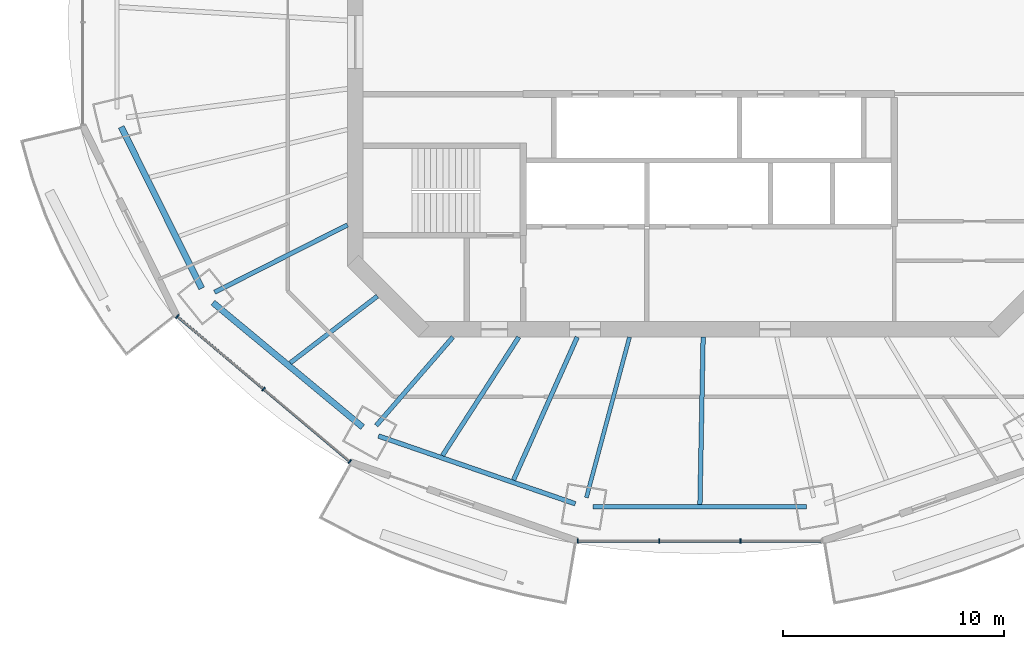
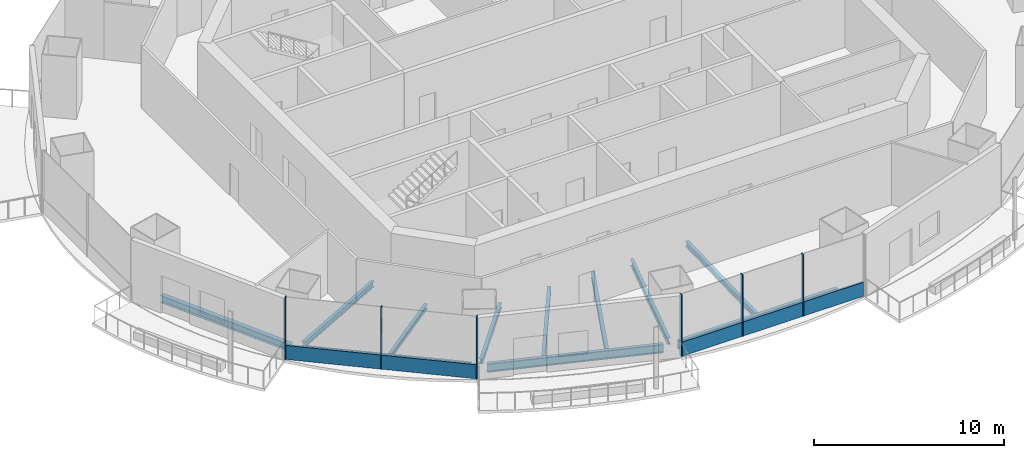
# One storey, part 2 of 16: 11 beams, 8 members, 2 elements without a shape of their own.
"""IFC4 building model written with IfcOpenShell, lengths in metres."""

from ifc_helpers import new_model, si_unit, direction, frame, origin, origin_2d, place, context, subcontext, project, spatial, rectangle, i_section, extrude, material, material_profile, profile_set, type_object, element, aggregate, save


model = new_model("IFC4")

# Units and contexts
model_context = context("Model", 3, precision=1e-05, world=origin(), true_north=direction((0.0, 1.0)))
body_context = subcontext(model_context, "Body", "Model", "MODEL_VIEW")
ifc_project = project(units=[si_unit("LENGTHUNIT", "METRE"), si_unit("AREAUNIT", "SQUARE_METRE"), si_unit("VOLUMEUNIT", "CUBIC_METRE"), si_unit("PLANEANGLEUNIT", "RADIAN"), si_unit("MASSUNIT", "GRAM", prefix="KILO")], contexts=[model_context])

# Site, building, storey
site_placement = place(None, origin())
site = spatial("IfcSite", under=ifc_project, at=site_placement, CompositionType="ELEMENT")
building_placement = place(site_placement, origin())
building = spatial("IfcBuilding", under=site, at=building_placement, Name="Marenthal Gate Tower", CompositionType="ELEMENT")
storey_placement = place(building_placement, frame((0.0, 0.0, 305.25)))
storey = spatial("IfcBuildingStorey", under=building, at=storey_placement, Name="L68", CompositionType="ELEMENT", Elevation=305.25)

# Curtain wall, members
ifc_material_1 = material(Name="Aluminium and glass", Category="aluminium")
curtain_wall_type = type_object("IfcCurtainWallType", Name="Curtain wall typical high", PredefinedType="NOTDEFINED", material=ifc_material_1)
curtain_wall_1_placement = place(storey_placement, origin())
curtain_wall_1 = element("IfcCurtainWall", 1, at=curtain_wall_1_placement, inside=storey, type_object=curtain_wall_type, Name="Curtain wall L68 bay 10", PredefinedType="NOTDEFINED")
ifc_material_2 = material(Name="Aluminium", Category="aluminium")
ifc_material_profile_1 = material_profile(ifc_material_2, rectangle(XDim=0.199951171875, YDim=0.06005859375, at=origin_2d()), Name="60x200 aluminium mullion")
ifc_profile_set_1 = profile_set([ifc_material_profile_1], Name="Aluminium")
member_type_1 = type_object("IfcMemberType", Name="Mullion 60x200 typical high", PredefinedType="MULLION", material=ifc_profile_set_1)
member_1_placement = place(storey_placement, frame((-24.053955078125, -12.41845703125, 0.0), z_axis=(0.0, 0.0, 1.0), x_axis=(0.643479945432, 0.765462970905, 0.0)))
member_1 = element("IfcMember", 2, at=member_1_placement, type_object=member_type_1, Name="Mullion L68 bay 10.1", PredefinedType="MULLION", context=body_context, shape_type="SweptSolid", body=[
    extrude(rectangle(XDim=0.199951171875, YDim=0.06005859375, at=origin_2d()), origin(), (0.0, 0.0, 1.0), 3.969970703125),
])
member_2_placement = place(storey_placement, frame((-20.148681640625, -15.701416015625, 0.0), z_axis=(0.0, 0.0, 1.0), x_axis=(0.643479945432, 0.765462970905, 0.0)))
member_2 = element("IfcMember", 3, at=member_2_placement, type_object=member_type_1, Name="Mullion L68 bay 10.2", PredefinedType="MULLION", context=body_context, shape_type="SweptSolid", body=[
    extrude(rectangle(XDim=0.199951171875, YDim=0.06005859375, at=origin_2d()), origin(), (0.0, 0.0, 1.0), 3.969970703125),
])
member_3_placement = place(storey_placement, frame((-16.243408203125, -18.984375, 0.0), z_axis=(0.0, 0.0, 1.0), x_axis=(0.643479945432, 0.765462970905, 0.0)))
member_3 = element("IfcMember", 4, at=member_3_placement, type_object=member_type_1, Name="Mullion L68 bay 10.3", PredefinedType="MULLION", context=body_context, shape_type="SweptSolid", body=[
    extrude(rectangle(XDim=0.199951171875, YDim=0.06005859375, at=origin_2d()), origin(), (0.0, 0.0, 1.0), 3.969970703125),
])

curtain_wall_2_placement = place(storey_placement, origin())
curtain_wall_2 = element("IfcCurtainWall", 5, at=curtain_wall_2_placement, inside=storey, type_object=curtain_wall_type, Name="Curtain wall L68 bay 12", PredefinedType="NOTDEFINED")
member_4_placement = place(storey_placement, frame((-5.92529296875, -22.577880859375, 0.0), z_axis=(0.0, 0.0, 1.0), x_axis=(0.0, 1.0, 0.0)))
member_4 = element("IfcMember", 6, at=member_4_placement, type_object=member_type_1, Name="Mullion L68 bay 12.1", PredefinedType="MULLION", context=body_context, shape_type="SweptSolid", body=[
    extrude(rectangle(XDim=0.199951171875, YDim=0.06005859375, at=origin_2d()), origin(), (0.0, 0.0, 1.0), 3.969970703125),
])
member_5_placement = place(storey_placement, frame((-2.24169921875, -22.577880859375, 0.0), z_axis=(0.0, 0.0, 1.0), x_axis=(0.0, 1.0, 0.0)))
member_5 = element("IfcMember", 7, at=member_5_placement, type_object=member_type_1, Name="Mullion L68 bay 12.2", PredefinedType="MULLION", context=body_context, shape_type="SweptSolid", body=[
    extrude(rectangle(XDim=0.199951171875, YDim=0.06005859375, at=origin_2d()), origin(), (0.0, 0.0, 1.0), 3.969970703125),
])
member_6_placement = place(storey_placement, frame((1.44189453125, -22.577880859375, 0.0), z_axis=(0.0, 0.0, 1.0), x_axis=(0.0, 1.0, 0.0)))
member_6 = element("IfcMember", 8, at=member_6_placement, type_object=member_type_1, Name="Mullion L68 bay 12.3", PredefinedType="MULLION", context=body_context, shape_type="SweptSolid", body=[
    extrude(rectangle(XDim=0.199951171875, YDim=0.06005859375, at=origin_2d()), origin(), (0.0, 0.0, 1.0), 3.969970703125),
])

# Member
ifc_material_3 = material(Name="Aluminium", Category="aluminium")
ifc_material_profile_2 = material_profile(ifc_material_3, rectangle(XDim=0.1201171875, YDim=0.89990234375, at=origin_2d()), Name="120x900 aluminium transom")
ifc_profile_set_2 = profile_set([ifc_material_profile_2], Name="Aluminium")
member_type_2 = type_object("IfcMemberType", Name="Transom 120x900 typical high", PredefinedType="USERDEFINED", material=ifc_profile_set_2)
member_7_placement = place(storey_placement, frame((-24.031005859375, -12.437744140625, 0.449951171875), z_axis=(0.765460155219, -0.643483294866, 0.0), x_axis=(0.643483294866, 0.765460155219, 0.0)))
member_7 = element("IfcMember", 9, at=member_7_placement, type_object=member_type_2, Name="Transom L68 bay 10", ObjectType="TRANSOM", PredefinedType="USERDEFINED", context=body_context, shape_type="SweptSolid", body=[
    extrude(rectangle(XDim=0.1201171875, YDim=0.89990234375, at=origin_2d()), origin(), (0.0, 0.0, 1.0), 10.143798828125),
])

aggregate(curtain_wall_1, [member_1, member_2, member_3, member_7])

member_8_placement = place(storey_placement, frame((-5.8955078125, -22.577880859375, 0.449951171875), z_axis=(1.0, 0.0, 0.0), x_axis=(0.0, 1.0, 0.0)))
member_8 = element("IfcMember", 10, at=member_8_placement, type_object=member_type_2, Name="Transom L68 bay 12", ObjectType="TRANSOM", PredefinedType="USERDEFINED", context=body_context, shape_type="SweptSolid", body=[
    extrude(rectangle(XDim=0.1201171875, YDim=0.89990234375, at=origin_2d()), origin(), (0.0, 0.0, 1.0), 10.990966796875),
])

aggregate(curtain_wall_2, [member_4, member_5, member_6, member_8])

# Beams
ifc_material_4 = material(Name="Steel S355", Category="steel")
ifc_material_profile_3 = material_profile(ifc_material_4, i_section(OverallWidth=0.202880859375, OverallDepth=0.302001953125, WebThickness=0.007568359375, FlangeThickness=0.01318359375, FilletRadius=0.0126953125, at=origin_2d()), Name="W310X60")
ifc_profile_set_3 = profile_set([ifc_material_profile_3], Name="Steel S355")
beam_type_1 = type_object("IfcBeamType", Name="W310X60 beam", PredefinedType="BEAM", material=ifc_profile_set_3)
beam_1_placement = place(storey_placement, frame((-18.939453125, -14.518798828125, -0.3310546875), z_axis=(0.793649875285, 0.608374782071, 0.0), x_axis=(-0.608374782071, 0.793649875285, 0.0)))
element("IfcBeam", 11, at=beam_1_placement, inside=storey, type_object=beam_type_1, Name="BM-L68-31", PredefinedType="BEAM", context=body_context, shape_type="SweptSolid", body=[
    extrude(i_section(OverallWidth=0.202880859375, OverallDepth=0.302001953125, WebThickness=0.007568359375, FlangeThickness=0.01318359375, FilletRadius=0.0126953125, at=origin_2d()), origin(), (0.0, 0.0, 1.0), 4.966552734375),
])
ifc_material_5 = material(Name="Steel S355", Category="steel")
ifc_material_profile_4 = material_profile(ifc_material_5, i_section(OverallWidth=0.205078125, OverallDepth=0.31005859375, WebThickness=0.009521484375, FlangeThickness=0.016357421875, FilletRadius=0.0126953125, at=origin_2d()), Name="W310X74")
ifc_profile_set_4 = profile_set([ifc_material_profile_4], Name="Steel S355")
beam_type_2 = type_object("IfcBeamType", Name="W310X74 beam", PredefinedType="BEAM", material=ifc_profile_set_4)
beam_2_placement = place(storey_placement, frame((-15.05078125, -17.353515625, -0.3349609375), z_axis=(0.655204107761, 0.75545190262, 0.0), x_axis=(-0.75545190262, 0.655204107761, 0.0)))
element("IfcBeam", 12, at=beam_2_placement, inside=storey, type_object=beam_type_2, Name="BM-L68-11", PredefinedType="BEAM", context=body_context, shape_type="SweptSolid", body=[
    extrude(i_section(OverallWidth=0.205078125, OverallDepth=0.31005859375, WebThickness=0.009521484375, FlangeThickness=0.016357421875, FilletRadius=0.0126953125, at=origin_2d()), origin(), (0.0, 0.0, 1.0), 5.29931640625),
])
beam_3_placement = place(storey_placement, frame((-12.0517578125, -18.711181640625, -0.3349609375), z_axis=(0.541502346344, 0.840699238077, 0.0), x_axis=(-0.840699238077, 0.541502346344, 0.0)))
element("IfcBeam", 13, at=beam_3_placement, inside=storey, type_object=beam_type_2, Name="BM-L68-32", PredefinedType="BEAM", context=body_context, shape_type="SweptSolid", body=[
    extrude(i_section(OverallWidth=0.205078125, OverallDepth=0.31005859375, WebThickness=0.009521484375, FlangeThickness=0.016357421875, FilletRadius=0.0126953125, at=origin_2d()), origin(), (0.0, 0.0, 1.0), 6.376953125),
])
ifc_material_6 = material(Name="Steel S355", Category="steel")
ifc_material_profile_5 = material_profile(ifc_material_6, i_section(OverallWidth=0.205078125, OverallDepth=0.35302734375, WebThickness=0.009521484375, FlangeThickness=0.016845703125, FilletRadius=0.014892578125, at=origin_2d()), Name="W360X79")
ifc_profile_set_5 = profile_set([ifc_material_profile_5], Name="Steel S355")
beam_type_3 = type_object("IfcBeamType", Name="W360X79 beam", PredefinedType="BEAM", material=ifc_profile_set_5)
beam_4_placement = place(storey_placement, frame((-22.36572265625, -11.3203125, -0.3564453125), z_axis=(0.892214783976, 0.451611314357, 0.0), x_axis=(-0.451611314357, 0.892214783976, 0.0)))
element("IfcBeam", 14, at=beam_4_placement, inside=storey, type_object=beam_type_3, Name="BM-L68-10", PredefinedType="BEAM", context=body_context, shape_type="SweptSolid", body=[
    extrude(i_section(OverallWidth=0.205078125, OverallDepth=0.35302734375, WebThickness=0.009521484375, FlangeThickness=0.016845703125, FilletRadius=0.014892578125, at=origin_2d()), origin(), (0.0, 0.0, 1.0), 6.742431640625),
])
beam_5_placement = place(storey_placement, frame((-8.835693359375, -19.818359375, -0.3564453125), z_axis=(0.407200115521, 0.91333896551, 0.0), x_axis=(-0.91333896551, 0.407200115521, 0.0)))
element("IfcBeam", 15, at=beam_5_placement, inside=storey, type_object=beam_type_3, Name="BM-L68-33", PredefinedType="BEAM", context=body_context, shape_type="SweptSolid", body=[
    extrude(i_section(OverallWidth=0.205078125, OverallDepth=0.35302734375, WebThickness=0.009521484375, FlangeThickness=0.016845703125, FilletRadius=0.014892578125, at=origin_2d()), origin(), (0.0, 0.0, 1.0), 7.08203125),
])
beam_6_placement = place(storey_placement, frame((-0.39794921875, -20.92236328125, -0.3564453125), z_axis=(0.019018999299, 0.999819122474, 0.0), x_axis=(-0.999819122474, 0.019018999299, 0.0)))
element("IfcBeam", 16, at=beam_6_placement, inside=storey, type_object=beam_type_3, Name="BM-L68-34", PredefinedType="BEAM", context=body_context, shape_type="SweptSolid", body=[
    extrude(i_section(OverallWidth=0.205078125, OverallDepth=0.35302734375, WebThickness=0.009521484375, FlangeThickness=0.016845703125, FilletRadius=0.014892578125, at=origin_2d()), origin(), (0.0, 0.0, 1.0), 7.57373046875),
])
ifc_material_7 = material(Name="Steel S355", Category="steel")
ifc_material_profile_6 = material_profile(ifc_material_7, i_section(OverallWidth=0.180908203125, OverallDepth=0.4169921875, WebThickness=0.010986328125, FlangeThickness=0.018310546875, FilletRadius=0.01025390625, at=origin_2d()), Name="W410X85")
ifc_profile_set_6 = profile_set([ifc_material_profile_6], Name="Steel S355")
beam_type_4 = type_object("IfcBeamType", Name="W410X85 beam", PredefinedType="BEAM", material=ifc_profile_set_6)
beam_7_placement = place(storey_placement, frame((-5.53564453125, -20.613525390625, -0.388427734375), z_axis=(0.259341276108, 0.965785743582, 0.0), x_axis=(-0.965785743582, 0.259341276108, 0.0)))
element("IfcBeam", 17, at=beam_7_placement, inside=storey, type_object=beam_type_4, Name="BM-L68-12", PredefinedType="BEAM", context=body_context, shape_type="SweptSolid", body=[
    extrude(i_section(OverallWidth=0.180908203125, OverallDepth=0.4169921875, WebThickness=0.010986328125, FlangeThickness=0.018310546875, FilletRadius=0.01025390625, at=origin_2d()), origin(), (0.0, 0.0, 1.0), 7.520751953125),
])
ifc_material_8 = material(Name="Steel S355", Category="steel")
ifc_material_profile_7 = material_profile(ifc_material_8, i_section(OverallWidth=0.279052734375, OverallDepth=0.4619140625, WebThickness=0.0107421875, FlangeThickness=0.017333984375, FilletRadius=0.010009765625, at=origin_2d()), Name="W460X113")
ifc_profile_set_7 = profile_set([ifc_material_profile_7], Name="Steel S355")
beam_type_5 = type_object("IfcBeamType", Name="W460X113 beam", PredefinedType="BEAM", material=ifc_profile_set_7)
beam_8_placement = place(storey_placement, frame((-26.590087890625, -3.841064453125, -0.410888671875), z_axis=(0.44599242953, -0.895036732655, 0.0), x_axis=(0.895036732655, 0.44599242953, 0.0)))
element("IfcBeam", 18, at=beam_8_placement, inside=storey, type_object=beam_type_5, Name="BM-L68-49", PredefinedType="BEAM", context=body_context, shape_type="SweptSolid", body=[
    extrude(i_section(OverallWidth=0.279052734375, OverallDepth=0.4619140625, WebThickness=0.0107421875, FlangeThickness=0.017333984375, FilletRadius=0.010009765625, at=origin_2d()), origin(), (0.0, 0.0, 1.0), 8.15966796875),
])
beam_9_placement = place(storey_placement, frame((-22.44140625, -11.788818359375, -0.410888671875), z_axis=(0.768999341682, -0.639249569802, 0.0), x_axis=(0.639249569802, 0.768999341682, 0.0)))
element("IfcBeam", 19, at=beam_9_placement, inside=storey, type_object=beam_type_5, Name="BM-L68-50", PredefinedType="BEAM", context=body_context, shape_type="SweptSolid", body=[
    extrude(i_section(OverallWidth=0.279052734375, OverallDepth=0.4619140625, WebThickness=0.0107421875, FlangeThickness=0.017333984375, FilletRadius=0.010009765625, at=origin_2d()), origin(), (0.0, 0.0, 1.0), 8.8154296875),
])
ifc_material_9 = material(Name="Steel S355", Category="steel")
ifc_material_profile_8 = material_profile(ifc_material_9, i_section(OverallWidth=0.2119140625, OverallDepth=0.5439453125, WebThickness=0.01318359375, FlangeThickness=0.021240234375, FilletRadius=0.0126953125, at=origin_2d()), Name="W530X123")
ifc_profile_set_8 = profile_set([ifc_material_profile_8], Name="Steel S355")
beam_type_6 = type_object("IfcBeamType", Name="W530X123 beam", PredefinedType="BEAM", material=ifc_profile_set_8)
beam_10_placement = place(storey_placement, frame((-14.951171875, -17.82470703125, -0.451904296875), z_axis=(0.945516546664, -0.325574046853, 0.0), x_axis=(0.325574046853, 0.945516546664, 0.0)))
element("IfcBeam", 20, at=beam_10_placement, inside=storey, type_object=beam_type_6, Name="BM-L68-51", PredefinedType="BEAM", context=body_context, shape_type="SweptSolid", body=[
    extrude(i_section(OverallWidth=0.2119140625, OverallDepth=0.5439453125, WebThickness=0.01318359375, FlangeThickness=0.021240234375, FilletRadius=0.0126953125, at=origin_2d()), origin(), (0.0, 0.0, 1.0), 9.427490234375),
])
beam_11_placement = place(storey_placement, frame((-5.23486328125, -21.0283203125, -0.451904296875), z_axis=(1.0, 0.0, 0.0), x_axis=(0.0, 1.0, 0.0)))
element("IfcBeam", 21, at=beam_11_placement, inside=storey, type_object=beam_type_6, Name="BM-L68-52", PredefinedType="BEAM", context=body_context, shape_type="SweptSolid", body=[
    extrude(i_section(OverallWidth=0.2119140625, OverallDepth=0.5439453125, WebThickness=0.01318359375, FlangeThickness=0.021240234375, FilletRadius=0.0126953125, at=origin_2d()), origin(), (0.0, 0.0, 1.0), 9.669677734375),
])

save(model, "model.ifc")
